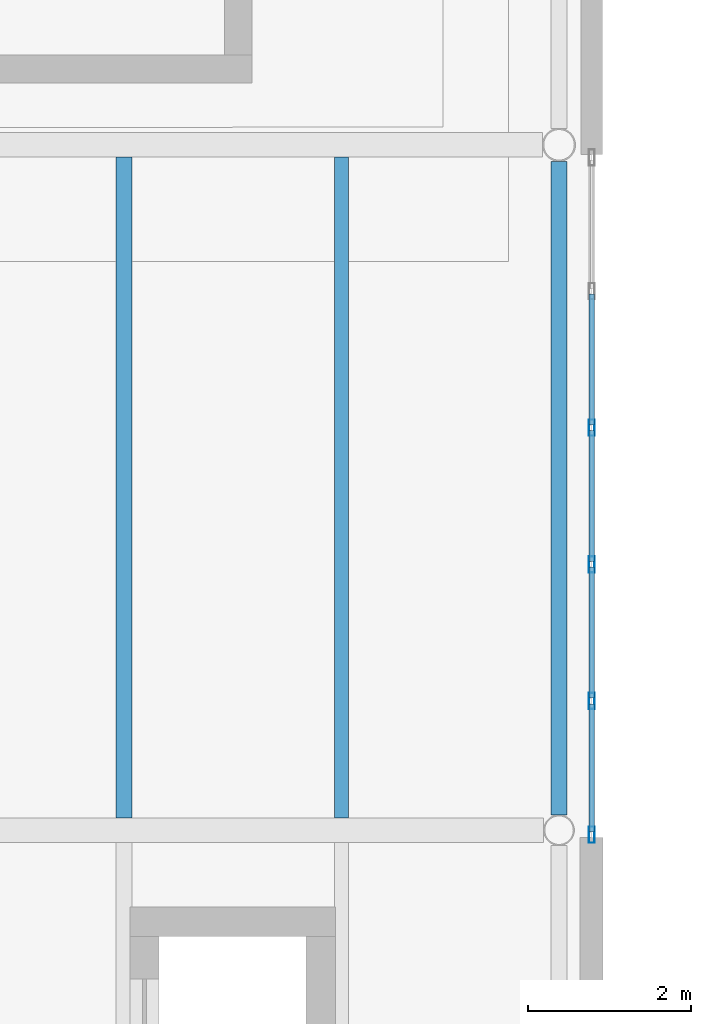
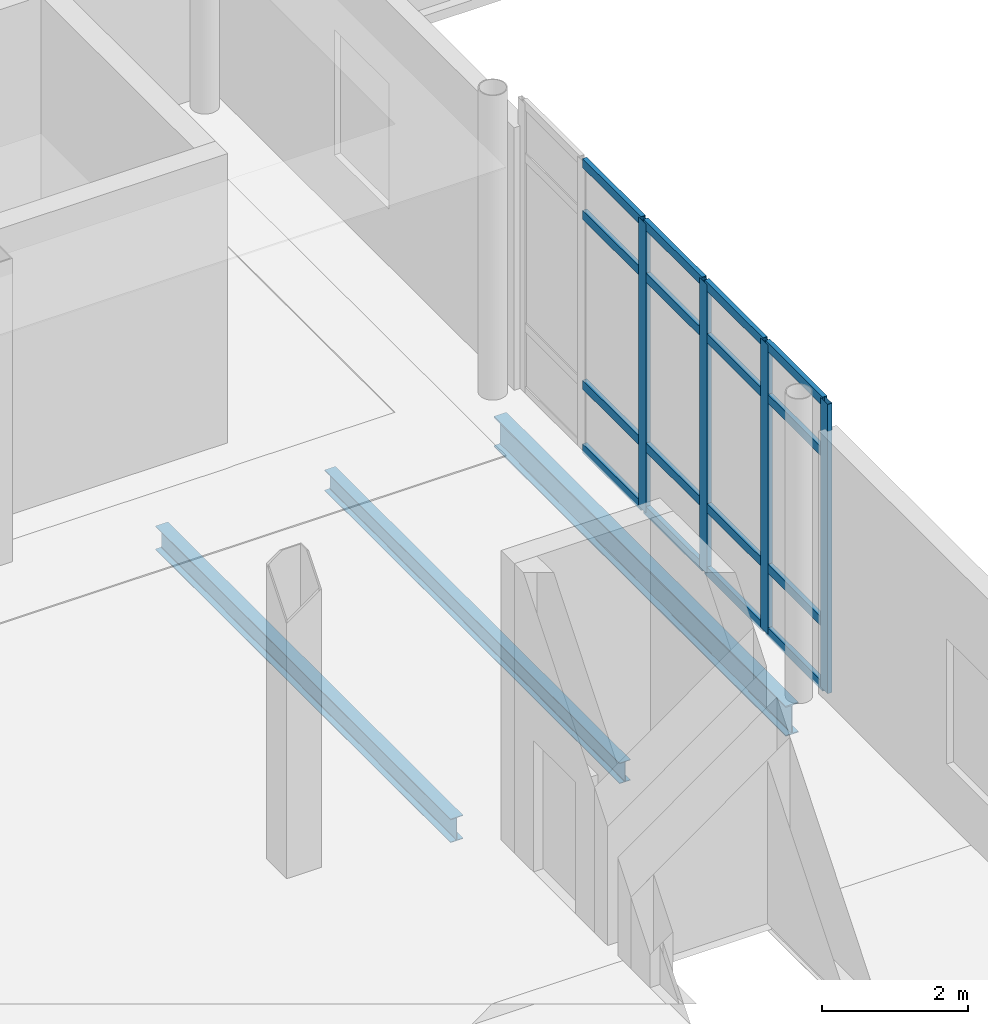
# One storey, part 45 of 104: 20 members, 3 beams, 1 element without a shape of its own.
"""IFC4 building model written with IfcOpenShell, lengths in metres."""

from ifc_helpers import new_model, si_unit, direction, frame, origin, origin_2d, place, context, subcontext, project, spatial, hollow_rectangle, i_section, extrude, material, layer, layer_set, material_profile, profile_set, type_object, element, aggregate, save


model = new_model("IFC4")

# Units and contexts
model_context = context("Model", 3, precision=1e-05, world=origin(), true_north=direction((0.0, 1.0)))
body_context = subcontext(model_context, "Body", "Model", "MODEL_VIEW")
ifc_project = project(units=[si_unit("LENGTHUNIT", "METRE"), si_unit("AREAUNIT", "SQUARE_METRE"), si_unit("VOLUMEUNIT", "CUBIC_METRE"), si_unit("PLANEANGLEUNIT", "RADIAN"), si_unit("MASSUNIT", "GRAM", prefix="KILO"), si_unit("THERMODYNAMICTEMPERATUREUNIT", "KELVIN")], contexts=[model_context])

# Site, building, storey
site_placement = place(None, origin())
site = spatial("IfcSite", under=ifc_project, at=site_placement, CompositionType="ELEMENT")
building_placement = place(site_placement, origin())
building = spatial("IfcBuilding", under=site, at=building_placement, Name="Lustrewick Department Store", CompositionType="ELEMENT")
storey_placement = place(building_placement, frame((0.0, 0.0, 11.39990234375)))
storey = spatial("IfcBuildingStorey", under=building, at=storey_placement, Name="L03", CompositionType="ELEMENT", Elevation=11.39990234375)

# Beams
ifc_material_1 = material(Name="Structural steel Q355B", Category="steel")
ifc_material_profile_1 = material_profile(ifc_material_1, i_section(OverallWidth=0.198974609375, OverallDepth=0.39599609375, WebThickness=0.007080078125, FlangeThickness=0.010986328125, FilletRadius=0.013916015625, at=origin_2d()), Name="HN 396x199x7x11")
ifc_profile_set_1 = profile_set([ifc_material_profile_1], Name="Structural steel Q355B")
beam_type_1 = type_object("IfcBeamType", Name="B06", PredefinedType="JOIST", material=ifc_profile_set_1)
beam_1_placement = place(storey_placement, frame((145.466796875, 33.75, -0.452880859375), z_axis=(0.0, 1.0, 0.0), x_axis=(-1.0, 0.0, 0.0)))
element("IfcBeam", 1, at=beam_1_placement, inside=storey, type_object=beam_type_1, Name="L03 V3 Secondary Joist B06", PredefinedType="JOIST", context=body_context, shape_type="SweptSolid", body=[
    extrude(i_section(OverallWidth=0.198974609375, OverallDepth=0.39599609375, WebThickness=0.007080078125, FlangeThickness=0.010986328125, FilletRadius=0.013916015625, at=origin_2d()), origin(), (0.0, 0.0, 1.0), 8.09912109375),
])
ifc_material_profile_2 = material_profile(ifc_material_1, i_section(OverallWidth=0.174072265625, OverallDepth=0.345947265625, WebThickness=0.006103515625, FlangeThickness=0.009033203125, FilletRadius=0.012939453125, at=origin_2d()), Name="HN 346x174x6x9")
ifc_profile_set_2 = profile_set([ifc_material_profile_2], Name="Structural steel Q355B")
beam_type_2 = type_object("IfcBeamType", Name="B10", PredefinedType="JOIST", material=ifc_profile_set_2)
beam_2_placement = place(storey_placement, frame((148.13330078125, 33.75, -0.427978515625), z_axis=(0.0, 1.0, 0.0), x_axis=(-1.0, 0.0, 0.0)))
element("IfcBeam", 2, at=beam_2_placement, inside=storey, type_object=beam_type_2, Name="L03 V3 Secondary Joist B10", PredefinedType="JOIST", context=body_context, shape_type="SweptSolid", body=[
    extrude(i_section(OverallWidth=0.174072265625, OverallDepth=0.345947265625, WebThickness=0.006103515625, FlangeThickness=0.009033203125, FilletRadius=0.012939453125, at=origin_2d()), origin(), (0.0, 0.0, 1.0), 8.09912109375),
])

# Curtain wall, members
ifc_material_2 = material(Name="Thermally broken aluminium 6063-T5", Category="aluminium")
ifc_layer = layer(ifc_material_2, 0.199951171875, Name="Thermally broken aluminium 6063-T5")
ifc_layer_set = layer_set([ifc_layer], Name="Thermally broken aluminium 6063-T5")
curtain_wall_type = type_object("IfcCurtainWallType", Name="CW10", PredefinedType="NOTDEFINED", material=ifc_layer_set)
curtain_wall_placement = place(storey_placement, origin())
curtain_wall = element("IfcCurtainWall", 3, at=curtain_wall_placement, inside=storey, type_object=curtain_wall_type, Name="L03 V3 Curtain Wall CW10", PredefinedType="NOTDEFINED")
ifc_material_profile_3 = material_profile(ifc_material_2, hollow_rectangle(XDim=0.070068359375, YDim=0.199951171875, WallThickness=0.00390625, at=origin_2d()), Name="ALU-M 70x200x4")
ifc_profile_set_3 = profile_set([ifc_material_profile_3], Name="Thermally broken aluminium 6063-T5")
member_type_1 = type_object("IfcMemberType", Name="CW10-M1", PredefinedType="MULLION", material=ifc_profile_set_3)
member_1_placement = place(storey_placement, frame((151.199951171875, 33.544921875, 0.0), z_axis=(0.0, 0.0, 1.0), x_axis=(-1.0, 0.0, 0.0)))
member_1 = element("IfcMember", 4, at=member_1_placement, type_object=member_type_1, Name="CW10 mullion 1", PredefinedType="MULLION", context=body_context, shape_type="SweptSolid", body=[
    extrude(hollow_rectangle(XDim=0.070068359375, YDim=0.199951171875, WallThickness=0.00390625, at=origin_2d()), origin(), (0.0, 0.0, 1.0), 4.84521484375),
])
member_2_placement = place(storey_placement, frame((151.199951171875, 35.18408203125, 0.0), z_axis=(0.0, 0.0, 1.0), x_axis=(-1.0, 0.0, 0.0)))
member_2 = element("IfcMember", 5, at=member_2_placement, type_object=member_type_1, Name="CW10 mullion 2", PredefinedType="MULLION", context=body_context, shape_type="SweptSolid", body=[
    extrude(hollow_rectangle(XDim=0.070068359375, YDim=0.199951171875, WallThickness=0.00390625, at=origin_2d()), origin(), (0.0, 0.0, 1.0), 4.84521484375),
])
member_3_placement = place(storey_placement, frame((151.199951171875, 36.85791015625, 0.0), z_axis=(0.0, 0.0, 1.0), x_axis=(-1.0, 0.0, 0.0)))
member_3 = element("IfcMember", 6, at=member_3_placement, type_object=member_type_1, Name="CW10 mullion 3", PredefinedType="MULLION", context=body_context, shape_type="SweptSolid", body=[
    extrude(hollow_rectangle(XDim=0.070068359375, YDim=0.199951171875, WallThickness=0.00390625, at=origin_2d()), origin(), (0.0, 0.0, 1.0), 4.84521484375),
])
member_4_placement = place(storey_placement, frame((151.199951171875, 38.531982421875, 0.0), z_axis=(0.0, 0.0, 1.0), x_axis=(-1.0, 0.0, 0.0)))
member_4 = element("IfcMember", 7, at=member_4_placement, type_object=member_type_1, Name="CW10 mullion 4", PredefinedType="MULLION", context=body_context, shape_type="SweptSolid", body=[
    extrude(hollow_rectangle(XDim=0.070068359375, YDim=0.199951171875, WallThickness=0.00390625, at=origin_2d()), origin(), (0.0, 0.0, 1.0), 4.84521484375),
])
ifc_material_profile_4 = material_profile(ifc_material_2, hollow_rectangle(XDim=0.070068359375, YDim=0.14990234375, WallThickness=0.00390625, at=origin_2d()), Name="ALU-T 70x150x4")
ifc_profile_set_4 = profile_set([ifc_material_profile_4], Name="Thermally broken aluminium 6063-T5")
member_type_2 = type_object("IfcMemberType", Name="CW10-T1", PredefinedType="USERDEFINED", material=ifc_profile_set_4)
member_5_placement = place(storey_placement, frame((151.199951171875, 33.580078125, 0.03515625), z_axis=(0.0, 1.0, 0.0), x_axis=(-1.0, 0.0, 0.0)))
member_5 = element("IfcMember", 8, at=member_5_placement, type_object=member_type_2, Name="CW10 transom 1.1", ObjectType="TRANSOM", PredefinedType="USERDEFINED", context=body_context, shape_type="SweptSolid", body=[
    extrude(hollow_rectangle(XDim=0.070068359375, YDim=0.14990234375, WallThickness=0.00390625, at=origin_2d()), origin(), (0.0, 0.0, 1.0), 1.56884765625),
])
member_6_placement = place(storey_placement, frame((151.199951171875, 33.580078125, 1.10009765625), z_axis=(0.0, 1.0, 0.0), x_axis=(-1.0, 0.0, 0.0)))
member_6 = element("IfcMember", 9, at=member_6_placement, type_object=member_type_2, Name="CW10 transom 1.2", ObjectType="TRANSOM", PredefinedType="USERDEFINED", context=body_context, shape_type="SweptSolid", body=[
    extrude(hollow_rectangle(XDim=0.070068359375, YDim=0.14990234375, WallThickness=0.00390625, at=origin_2d()), origin(), (0.0, 0.0, 1.0), 1.56884765625),
])
member_7_placement = place(storey_placement, frame((151.199951171875, 33.580078125, 3.945068359375), z_axis=(0.0, 1.0, 0.0), x_axis=(-1.0, 0.0, 0.0)))
member_7 = element("IfcMember", 10, at=member_7_placement, type_object=member_type_2, Name="CW10 transom 1.3", ObjectType="TRANSOM", PredefinedType="USERDEFINED", context=body_context, shape_type="SweptSolid", body=[
    extrude(hollow_rectangle(XDim=0.070068359375, YDim=0.14990234375, WallThickness=0.00390625, at=origin_2d()), origin(), (0.0, 0.0, 1.0), 1.56884765625),
])
member_8_placement = place(storey_placement, frame((151.199951171875, 33.580078125, 4.81005859375), z_axis=(0.0, 1.0, 0.0), x_axis=(-1.0, 0.0, 0.0)))
member_8 = element("IfcMember", 11, at=member_8_placement, type_object=member_type_2, Name="CW10 transom 1.4", ObjectType="TRANSOM", PredefinedType="USERDEFINED", context=body_context, shape_type="SweptSolid", body=[
    extrude(hollow_rectangle(XDim=0.070068359375, YDim=0.14990234375, WallThickness=0.00390625, at=origin_2d()), origin(), (0.0, 0.0, 1.0), 1.56884765625),
])
member_9_placement = place(storey_placement, frame((151.199951171875, 35.218994140625, 0.03515625), z_axis=(0.0, 1.0, 0.0), x_axis=(-1.0, 0.0, 0.0)))
member_9 = element("IfcMember", 12, at=member_9_placement, type_object=member_type_2, Name="CW10 transom 2.1", ObjectType="TRANSOM", PredefinedType="USERDEFINED", context=body_context, shape_type="SweptSolid", body=[
    extrude(hollow_rectangle(XDim=0.070068359375, YDim=0.14990234375, WallThickness=0.00390625, at=origin_2d()), origin(), (0.0, 0.0, 1.0), 1.60400390625),
])
member_10_placement = place(storey_placement, frame((151.199951171875, 35.218994140625, 1.10009765625), z_axis=(0.0, 1.0, 0.0), x_axis=(-1.0, 0.0, 0.0)))
member_10 = element("IfcMember", 13, at=member_10_placement, type_object=member_type_2, Name="CW10 transom 2.2", ObjectType="TRANSOM", PredefinedType="USERDEFINED", context=body_context, shape_type="SweptSolid", body=[
    extrude(hollow_rectangle(XDim=0.070068359375, YDim=0.14990234375, WallThickness=0.00390625, at=origin_2d()), origin(), (0.0, 0.0, 1.0), 1.60400390625),
])
member_11_placement = place(storey_placement, frame((151.199951171875, 35.218994140625, 3.945068359375), z_axis=(0.0, 1.0, 0.0), x_axis=(-1.0, 0.0, 0.0)))
member_11 = element("IfcMember", 14, at=member_11_placement, type_object=member_type_2, Name="CW10 transom 2.3", ObjectType="TRANSOM", PredefinedType="USERDEFINED", context=body_context, shape_type="SweptSolid", body=[
    extrude(hollow_rectangle(XDim=0.070068359375, YDim=0.14990234375, WallThickness=0.00390625, at=origin_2d()), origin(), (0.0, 0.0, 1.0), 1.60400390625),
])
member_12_placement = place(storey_placement, frame((151.199951171875, 35.218994140625, 4.81005859375), z_axis=(0.0, 1.0, 0.0), x_axis=(-1.0, 0.0, 0.0)))
member_12 = element("IfcMember", 15, at=member_12_placement, type_object=member_type_2, Name="CW10 transom 2.4", ObjectType="TRANSOM", PredefinedType="USERDEFINED", context=body_context, shape_type="SweptSolid", body=[
    extrude(hollow_rectangle(XDim=0.070068359375, YDim=0.14990234375, WallThickness=0.00390625, at=origin_2d()), origin(), (0.0, 0.0, 1.0), 1.60400390625),
])
member_13_placement = place(storey_placement, frame((151.199951171875, 36.89306640625, 0.03515625), z_axis=(0.0, 1.0, 0.0), x_axis=(-1.0, 0.0, 0.0)))
member_13 = element("IfcMember", 16, at=member_13_placement, type_object=member_type_2, Name="CW10 transom 3.1", ObjectType="TRANSOM", PredefinedType="USERDEFINED", context=body_context, shape_type="SweptSolid", body=[
    extrude(hollow_rectangle(XDim=0.070068359375, YDim=0.14990234375, WallThickness=0.00390625, at=origin_2d()), origin(), (0.0, 0.0, 1.0), 1.60400390625),
])
member_14_placement = place(storey_placement, frame((151.199951171875, 36.89306640625, 1.10009765625), z_axis=(0.0, 1.0, 0.0), x_axis=(-1.0, 0.0, 0.0)))
member_14 = element("IfcMember", 17, at=member_14_placement, type_object=member_type_2, Name="CW10 transom 3.2", ObjectType="TRANSOM", PredefinedType="USERDEFINED", context=body_context, shape_type="SweptSolid", body=[
    extrude(hollow_rectangle(XDim=0.070068359375, YDim=0.14990234375, WallThickness=0.00390625, at=origin_2d()), origin(), (0.0, 0.0, 1.0), 1.60400390625),
])
member_15_placement = place(storey_placement, frame((151.199951171875, 36.89306640625, 3.945068359375), z_axis=(0.0, 1.0, 0.0), x_axis=(-1.0, 0.0, 0.0)))
member_15 = element("IfcMember", 18, at=member_15_placement, type_object=member_type_2, Name="CW10 transom 3.3", ObjectType="TRANSOM", PredefinedType="USERDEFINED", context=body_context, shape_type="SweptSolid", body=[
    extrude(hollow_rectangle(XDim=0.070068359375, YDim=0.14990234375, WallThickness=0.00390625, at=origin_2d()), origin(), (0.0, 0.0, 1.0), 1.60400390625),
])
member_16_placement = place(storey_placement, frame((151.199951171875, 36.89306640625, 4.81005859375), z_axis=(0.0, 1.0, 0.0), x_axis=(-1.0, 0.0, 0.0)))
member_16 = element("IfcMember", 19, at=member_16_placement, type_object=member_type_2, Name="CW10 transom 3.4", ObjectType="TRANSOM", PredefinedType="USERDEFINED", context=body_context, shape_type="SweptSolid", body=[
    extrude(hollow_rectangle(XDim=0.070068359375, YDim=0.14990234375, WallThickness=0.00390625, at=origin_2d()), origin(), (0.0, 0.0, 1.0), 1.60400390625),
])
member_17_placement = place(storey_placement, frame((151.199951171875, 38.56689453125, 0.03515625), z_axis=(0.0, 1.0, 0.0), x_axis=(-1.0, 0.0, 0.0)))
member_17 = element("IfcMember", 20, at=member_17_placement, type_object=member_type_2, Name="CW10 transom 4.1", ObjectType="TRANSOM", PredefinedType="USERDEFINED", context=body_context, shape_type="SweptSolid", body=[
    extrude(hollow_rectangle(XDim=0.070068359375, YDim=0.14990234375, WallThickness=0.00390625, at=origin_2d()), origin(), (0.0, 0.0, 1.0), 1.60400390625),
])
member_18_placement = place(storey_placement, frame((151.199951171875, 38.56689453125, 1.10009765625), z_axis=(0.0, 1.0, 0.0), x_axis=(-1.0, 0.0, 0.0)))
member_18 = element("IfcMember", 21, at=member_18_placement, type_object=member_type_2, Name="CW10 transom 4.2", ObjectType="TRANSOM", PredefinedType="USERDEFINED", context=body_context, shape_type="SweptSolid", body=[
    extrude(hollow_rectangle(XDim=0.070068359375, YDim=0.14990234375, WallThickness=0.00390625, at=origin_2d()), origin(), (0.0, 0.0, 1.0), 1.60400390625),
])
member_19_placement = place(storey_placement, frame((151.199951171875, 38.56689453125, 3.945068359375), z_axis=(0.0, 1.0, 0.0), x_axis=(-1.0, 0.0, 0.0)))
member_19 = element("IfcMember", 22, at=member_19_placement, type_object=member_type_2, Name="CW10 transom 4.3", ObjectType="TRANSOM", PredefinedType="USERDEFINED", context=body_context, shape_type="SweptSolid", body=[
    extrude(hollow_rectangle(XDim=0.070068359375, YDim=0.14990234375, WallThickness=0.00390625, at=origin_2d()), origin(), (0.0, 0.0, 1.0), 1.60400390625),
])
member_20_placement = place(storey_placement, frame((151.199951171875, 38.56689453125, 4.81005859375), z_axis=(0.0, 1.0, 0.0), x_axis=(-1.0, 0.0, 0.0)))
member_20 = element("IfcMember", 23, at=member_20_placement, type_object=member_type_2, Name="CW10 transom 4.4", ObjectType="TRANSOM", PredefinedType="USERDEFINED", context=body_context, shape_type="SweptSolid", body=[
    extrude(hollow_rectangle(XDim=0.070068359375, YDim=0.14990234375, WallThickness=0.00390625, at=origin_2d()), origin(), (0.0, 0.0, 1.0), 1.60400390625),
])
aggregate(curtain_wall, [member_1, member_2, member_3, member_4, member_5, member_6, member_7, member_8, member_9, member_10, member_11, member_12, member_13, member_14, member_15, member_16, member_17, member_18, member_19, member_20])

# Beam
ifc_material_profile_5 = material_profile(ifc_material_1, i_section(OverallWidth=0.200927734375, OverallDepth=0.506103515625, WebThickness=0.010986328125, FlangeThickness=0.01904296875, FilletRadius=0.01611328125, at=origin_2d()), Name="HN 506x201x11x19")
ifc_profile_set_5 = profile_set([ifc_material_profile_5], Name="Structural steel Q355B")
beam_type_3 = type_object("IfcBeamType", Name="SP01", PredefinedType="SPANDREL", material=ifc_profile_set_5)
beam_3_placement = place(storey_placement, frame((150.800048828125, 33.78857421875, -0.5078125), z_axis=(0.0, 1.0, 0.0), x_axis=(-1.0, 0.0, 0.0)))
element("IfcBeam", 24, at=beam_3_placement, inside=storey, type_object=beam_type_3, Name="L03 V3 Girder SP01", PredefinedType="SPANDREL", context=body_context, shape_type="SweptSolid", body=[
    extrude(i_section(OverallWidth=0.200927734375, OverallDepth=0.506103515625, WebThickness=0.010986328125, FlangeThickness=0.01904296875, FilletRadius=0.01611328125, at=origin_2d()), origin(), (0.0, 0.0, 1.0), 8.008544921875),
])

save(model, "model.ifc")
